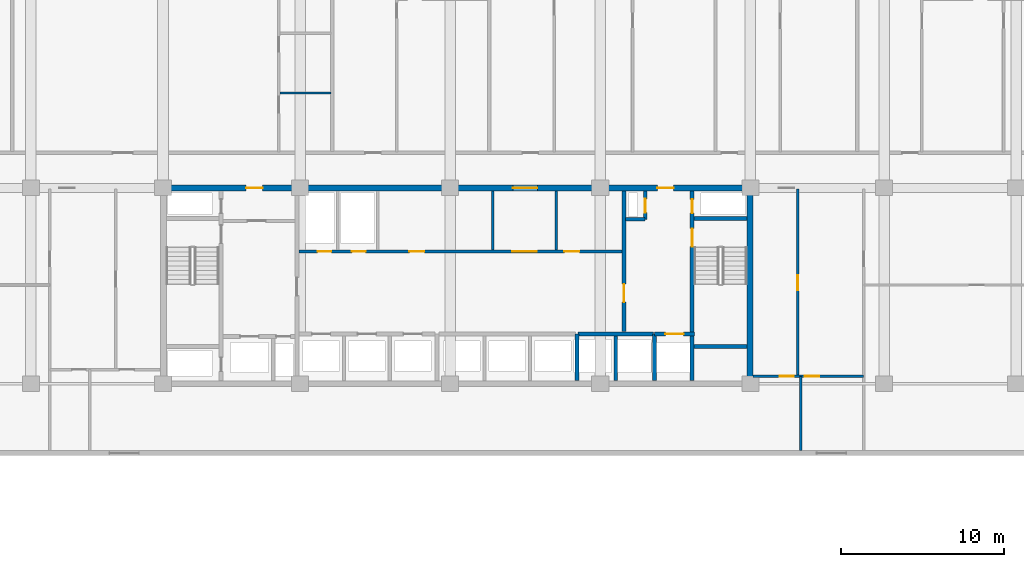
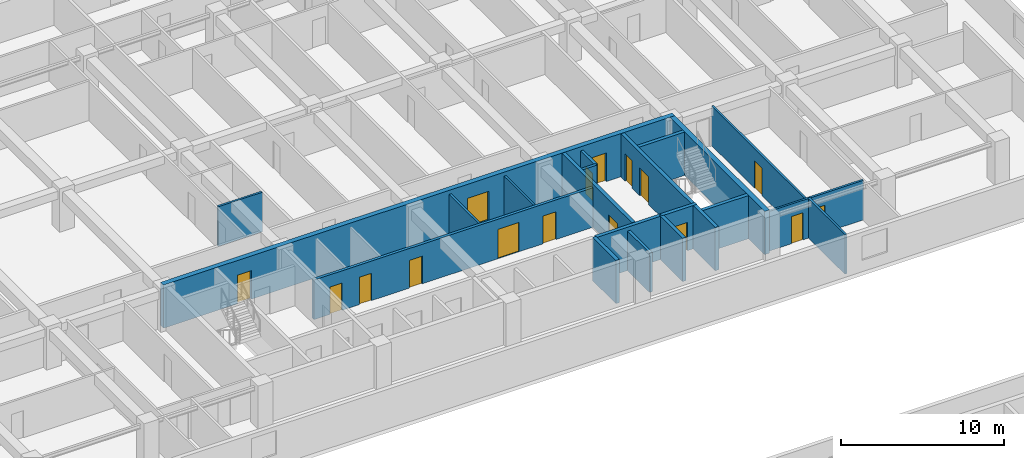
# One storey, part 13 of 24: 20 walls, 16 doors, 16 openings.
"""IFC4 building model written with IfcOpenShell, lengths in metres."""

from ifc_helpers import new_model, si_unit, direction, frame, frame_2d, origin, place, context, subcontext, project, spatial, rectangle, extrude, material, layer, layer_set, type_object, element, fill, save


model = new_model("IFC4")

# Units and contexts
model_context = context("Model", 3, precision=1e-05, world=origin(), true_north=direction((0.0, 1.0)))
body_context = subcontext(model_context, "Body", "Model", "MODEL_VIEW")
ifc_project = project(units=[si_unit("LENGTHUNIT", "METRE"), si_unit("AREAUNIT", "SQUARE_METRE"), si_unit("VOLUMEUNIT", "CUBIC_METRE"), si_unit("PLANEANGLEUNIT", "RADIAN"), si_unit("MASSUNIT", "GRAM", prefix="KILO")], contexts=[model_context])

# Site, building, storey
site_placement = place(None, origin())
site = spatial("IfcSite", under=ifc_project, at=site_placement, CompositionType="ELEMENT")
building_placement = place(site_placement, origin())
building = spatial("IfcBuilding", under=site, at=building_placement, Name="Korimba Cascade Residences", CompositionType="ELEMENT")
storey_placement = place(building_placement, frame((0.0, 0.0, 66.25)))
storey = spatial("IfcBuildingStorey", under=building, at=storey_placement, Name="L18", CompositionType="ELEMENT", Elevation=66.25)

# Wall
ifc_material_1 = material(Name="Concrete C65/80", Category="concrete")
ifc_layer_1 = layer(ifc_material_1, 0.35009765625)
ifc_layer_set_1 = layer_set([ifc_layer_1], Name="Concrete C65/80")
wall_type_1 = type_object("IfcWallType", Name="WAL-CORE-350", PredefinedType="SHEAR", material=ifc_layer_set_1)
wall_1_placement = place(storey_placement, frame((112.074951171875, 55.375, 0.0), z_axis=(0.0, 0.0, 1.0), x_axis=(0.0, 1.0, 0.0)))
element("IfcWall", 1, at=wall_1_placement, inside=storey, type_object=wall_type_1, Name="L18 Core Shear Wall CW-L18-T1-E", PredefinedType="SHEAR", context=body_context, shape_type="SweptSolid", body=[
    extrude(rectangle(XDim=11.64990234375, YDim=0.35009765625, at=frame_2d((5.824951171875, 0.0))), origin(), (0.0, 0.0, 1.0), 3.25),
])

# Wall, openings, doors
wall_2_placement = place(storey_placement, frame((75.949951171875, 67.199951171875, 0.0), z_axis=(0.0, 0.0, 1.0), x_axis=(1.0, 0.0, 0.0)))
wall_2 = element("IfcWall", 2, at=wall_2_placement, inside=storey, type_object=wall_type_1, Name="L18 Core Shear Wall CW-L18-T1-N", PredefinedType="SHEAR", context=body_context, shape_type="SweptSolid", body=[
    extrude(rectangle(XDim=36.300048828125, YDim=0.35009765625, at=frame_2d((18.14990234375, 0.0))), origin(), (0.0, 0.0, 1.0), 3.25),
])
opening_1_placement = place(wall_2_placement, frame((5.25, 0.0, 0.0)))
opening_1 = element("IfcOpeningElement", 3, at=opening_1_placement, cuts=wall_2, Name="Opening D-FD5", PredefinedType="OPENING", context=body_context, shape_type="SweptSolid", body=[
    extrude(rectangle(XDim=1.0, YDim=2.14990234375, at=frame_2d((0.5, 1.074951171875))), frame((0.0, 0.18505859375, 0.0), z_axis=(0.0, -1.0, 0.0), x_axis=(1.0, 0.0, 0.0)), (0.0, 0.0, 1.0), 0.3701171875),
])
opening_2_placement = place(wall_2_placement, frame((21.60009765625, 0.0, 0.0)))
opening_2 = element("IfcOpeningElement", 4, at=opening_2_placement, cuts=wall_2, Name="Opening D-FD8", PredefinedType="OPENING", context=body_context, shape_type="SweptSolid", body=[
    extrude(rectangle(XDim=1.5, YDim=2.199951171875, at=frame_2d((0.75, 1.10009765625))), frame((0.0, 0.18505859375, 0.0), z_axis=(0.0, -1.0, 0.0), x_axis=(1.0, 0.0, 0.0)), (0.0, 0.0, 1.0), 0.3701171875),
])
opening_3_placement = place(wall_2_placement, frame((30.449951171875, 0.0, 0.0)))
opening_3 = element("IfcOpeningElement", 5, at=opening_3_placement, cuts=wall_2, Name="Opening D-FD5", PredefinedType="OPENING", context=body_context, shape_type="SweptSolid", body=[
    extrude(rectangle(XDim=1.0, YDim=2.14990234375, at=frame_2d((0.5, 1.074951171875))), frame((0.0, 0.18505859375, 0.0), z_axis=(0.0, -1.0, 0.0), x_axis=(1.0, 0.0, 0.0)), (0.0, 0.0, 1.0), 0.3701171875),
])
ifc_material_2 = material(Name="Fire-Rated Acoustic Timber Vestibule Door", Category="wood")
door_type_1 = type_object("IfcDoorType", Name="DR-FD90-1000", OperationType="NOTDEFINED", PredefinedType="DOOR", material=ifc_material_2)
door_1_placement = place(opening_1_placement, origin())
door_1 = element("IfcDoor", 6, at=door_1_placement, inside=storey, type_object=door_type_1, Name="L18 T1 West Core Vestibule Fire Door", OperationType="SINGLE_SWING_RIGHT", OverallHeight=2.14990234375, OverallWidth=1.0, PredefinedType="DOOR", context=body_context, shape_type="SweptSolid", body=[
    extrude(rectangle(XDim=1.0, YDim=2.14990234375, at=frame_2d((0.5, 1.074951171875))), frame((0.0, 0.02490234375, 0.0), z_axis=(0.0, -1.0, 0.0), x_axis=(1.0, 0.0, 0.0)), (0.0, 0.0, 1.0), 0.050048828125),
])
fill(opening_1, door_1)
door_2_placement = place(opening_3_placement, origin())
door_2 = element("IfcDoor", 7, at=door_2_placement, inside=storey, type_object=door_type_1, Name="L18 T1 East Firefighting Vestibule Fire Door", OperationType="SINGLE_SWING_LEFT", OverallHeight=2.14990234375, OverallWidth=1.0, PredefinedType="DOOR", context=body_context, shape_type="SweptSolid", body=[
    extrude(rectangle(XDim=1.0, YDim=2.14990234375, at=frame_2d((0.5, 1.074951171875))), frame((0.0, 0.02490234375, 0.0), z_axis=(0.0, -1.0, 0.0), x_axis=(1.0, 0.0, 0.0)), (0.0, 0.0, 1.0), 0.050048828125),
])
fill(opening_3, door_2)
ifc_material_3 = material(Name="Fire-Rated Glazed Lift Lobby Double Door", Category="glass")
door_type_2 = type_object("IfcDoorType", Name="DR-FD90-1500", OperationType="NOTDEFINED", PredefinedType="DOOR", material=ifc_material_3)
door_3_placement = place(opening_2_placement, origin())
door_3 = element("IfcDoor", 8, at=door_3_placement, inside=storey, type_object=door_type_2, Name="L18 T1 Lift Lobby Fire Door", OperationType="DOUBLE_DOOR_SINGLE_SWING", OverallHeight=2.199951171875, OverallWidth=1.5, PredefinedType="DOOR", context=body_context, shape_type="SweptSolid", body=[
    extrude(rectangle(XDim=1.5, YDim=2.199951171875, at=frame_2d((0.75, 1.10009765625))), frame((0.0, 0.02490234375, 0.0), z_axis=(0.0, -1.0, 0.0), x_axis=(1.0, 0.0, 0.0)), (0.0, 0.0, 1.0), 0.050048828125),
])
fill(opening_2, door_3)

# Walls
ifc_material_4 = material(Name="Insulated Acoustic Stud Partition", Category="gypsum")
ifc_layer_2 = layer(ifc_material_4, 0.14990234375)
ifc_layer_set_2 = layer_set([ifc_layer_2], Name="Insulated Acoustic Stud Partition")
wall_type_2 = type_object("IfcWallType", Name="WAL-PART-150", PredefinedType="PARTITIONING", material=ifc_layer_set_2)
for number, where, z_axis, x_axis, name in (
    (9, (96.300048828125, 63.39990234375, 0.0), (0.0, 0.0, 1.0), (0.0, 1.0, 0.0), "L18 Partition Wall CW-L18-T1-THW"),
    (10, (100.199951171875, 63.39990234375, 0.0), (0.0, 0.0, 1.0), (0.0, 1.0, 0.0), "L18 Partition Wall CW-L18-T1-THE"),
):
    element("IfcWall", number, at=place(storey_placement, frame(where, z_axis=z_axis, x_axis=x_axis)), inside=storey, type_object=wall_type_2, Name=name, PredefinedType="PARTITIONING", context=body_context, shape_type="SweptSolid", body=[
        extrude(rectangle(XDim=3.60009765625, YDim=0.14990234375, at=frame_2d((1.800048828125, 0.0))), origin(), (0.0, 0.0, 1.0), 2.969970703125),
    ])

# Wall, opening, door
wall_3_placement = place(storey_placement, frame((115.0, 55.64990234375, 0.0), z_axis=(0.0, 0.0, 1.0), x_axis=(0.0, 1.0, 0.0)))
wall_3 = element("IfcWall", 11, at=wall_3_placement, inside=storey, type_object=wall_type_2, Name="L18 Partition Wall WAL-L18-T1-FE-VN", PredefinedType="PARTITIONING", context=body_context, shape_type="SweptSolid", body=[
    extrude(rectangle(XDim=11.5, YDim=0.14990234375, at=frame_2d((5.75, 0.0))), origin(), (0.0, 0.0, 1.0), 2.969970703125),
])
opening_4_placement = place(wall_3_placement, frame((5.2900390625, 0.0, 0.0)))
opening_4 = element("IfcOpeningElement", 12, at=opening_4_placement, cuts=wall_3, Name="Opening D-IN1", PredefinedType="OPENING", context=body_context, shape_type="SweptSolid", body=[
    extrude(rectangle(XDim=0.919921875, YDim=2.080078125, at=frame_2d((0.4599609375, 1.0400390625))), frame((0.0, 0.0849609375, 0.0), z_axis=(0.0, -1.0, 0.0), x_axis=(1.0, 0.0, 0.0)), (0.0, 0.0, 1.0), 0.169921875),
])
ifc_material_5 = material(Name="Acoustic Timber Living Door", Category="wood")
door_type_3 = type_object("IfcDoorType", Name="DR-INT-920", OperationType="NOTDEFINED", PredefinedType="DOOR", material=ifc_material_5)
door_4_placement = place(opening_4_placement, origin())
door_4 = element("IfcDoor", 13, at=door_4_placement, inside=storey, type_object=door_type_3, Name="L18-T1-FE Living Door", OperationType="SINGLE_SWING_RIGHT", OverallHeight=2.080078125, OverallWidth=0.919921875, PredefinedType="DOOR", context=body_context, shape_type="SweptSolid", body=[
    extrude(rectangle(XDim=0.919921875, YDim=2.080078125, at=frame_2d((0.4599609375, 1.0400390625))), frame((0.0, 0.02490234375, 0.0), z_axis=(0.0, -1.0, 0.0), x_axis=(1.0, 0.0, 0.0)), (0.0, 0.0, 1.0), 0.050048828125),
])
fill(opening_4, door_4)

# Wall
wall_4_placement = place(storey_placement, frame((115.199951171875, 51.10009765625, 0.0), z_axis=(0.0, 0.0, 1.0), x_axis=(0.0, 1.0, 0.0)))
element("IfcWall", 14, at=wall_4_placement, inside=storey, type_object=wall_type_2, Name="L18 Partition Wall WAL-L18-T1-FE-VS", PredefinedType="PARTITIONING", context=body_context, shape_type="SweptSolid", body=[
    extrude(rectangle(XDim=4.5498046875, YDim=0.14990234375, at=frame_2d((2.27490234375, 0.0))), origin(), (0.0, 0.0, 1.0), 2.969970703125),
])

# Wall, openings, doors
wall_5_placement = place(storey_placement, frame((112.27001953125, 55.64990234375, 0.0), z_axis=(0.0, 0.0, 1.0), x_axis=(1.0, 0.0, 0.0)))
wall_5 = element("IfcWall", 15, at=wall_5_placement, inside=storey, type_object=wall_type_2, Name="L18 Partition Wall WAL-L18-T1-FE-H", PredefinedType="PARTITIONING", context=body_context, shape_type="SweptSolid", body=[
    extrude(rectangle(XDim=6.760009765625, YDim=0.14990234375, at=frame_2d((3.3798828125, 0.0))), origin(), (0.0, 0.0, 1.0), 2.969970703125),
])
opening_5_placement = place(wall_5_placement, frame((1.6396484375, 0.0, 0.0)))
opening_5 = element("IfcOpeningElement", 16, at=opening_5_placement, cuts=wall_5, Name="Opening D-BT1", PredefinedType="OPENING", context=body_context, shape_type="SweptSolid", body=[
    extrude(rectangle(XDim=0.840087890625, YDim=2.0400390625, at=frame_2d((0.419921875, 1.02001953125))), frame((0.0, 0.0849609375, 0.0), z_axis=(0.0, -1.0, 0.0), x_axis=(1.0, 0.0, 0.0)), (0.0, 0.0, 1.0), 0.169921875),
])
opening_6_placement = place(wall_5_placement, frame((3.160400390625, 0.0, 0.0)))
opening_6 = element("IfcOpeningElement", 17, at=opening_6_placement, cuts=wall_5, Name="Opening D-IN2", PredefinedType="OPENING", context=body_context, shape_type="SweptSolid", body=[
    extrude(rectangle(XDim=0.8798828125, YDim=2.06005859375, at=frame_2d((0.43994140625, 1.030029296875))), frame((0.0, 0.0849609375, 0.0), z_axis=(0.0, -1.0, 0.0), x_axis=(1.0, 0.0, 0.0)), (0.0, 0.0, 1.0), 0.169921875),
])
ifc_material_6 = material(Name="Moisture-Resistant Bathroom Timber Door", Category="wood")
door_type_4 = type_object("IfcDoorType", Name="DR-INT-850", OperationType="NOTDEFINED", PredefinedType="DOOR", material=ifc_material_6)
door_5_placement = place(opening_5_placement, origin())
door_5 = element("IfcDoor", 18, at=door_5_placement, inside=storey, type_object=door_type_4, Name="L18-T1-FE Bathroom Door", OperationType="SINGLE_SWING_LEFT", OverallHeight=2.0400390625, OverallWidth=0.840087890625, PredefinedType="DOOR", context=body_context, shape_type="SweptSolid", body=[
    extrude(rectangle(XDim=0.840087890625, YDim=2.0400390625, at=frame_2d((0.419921875, 1.02001953125))), frame((0.0, 0.02490234375, 0.0), z_axis=(0.0, -1.0, 0.0), x_axis=(1.0, 0.0, 0.0)), (0.0, 0.0, 1.0), 0.050048828125),
])
fill(opening_5, door_5)
ifc_material_7 = material(Name="Acoustic Timber Bedroom Door", Category="wood")
door_type_5 = type_object("IfcDoorType", Name="DR-INT-880", OperationType="NOTDEFINED", PredefinedType="DOOR", material=ifc_material_7)
door_6_placement = place(opening_6_placement, origin())
door_6 = element("IfcDoor", 19, at=door_6_placement, inside=storey, type_object=door_type_5, Name="L18-T1-FE Bedroom Door", OperationType="SINGLE_SWING_RIGHT", OverallHeight=2.06005859375, OverallWidth=0.8798828125, PredefinedType="DOOR", context=body_context, shape_type="SweptSolid", body=[
    extrude(rectangle(XDim=0.8798828125, YDim=2.06005859375, at=frame_2d((0.43994140625, 1.030029296875))), frame((0.0, 0.02490234375, 0.0), z_axis=(0.0, -1.0, 0.0), x_axis=(1.0, 0.0, 0.0)), (0.0, 0.0, 1.0), 0.050048828125),
])
fill(opening_6, door_6)

# Walls
wall_6_placement = place(storey_placement, frame((83.2548828125, 73.02001953125, 0.0), z_axis=(0.0, 0.0, 1.0), x_axis=(1.0, 0.0, 0.0)))
element("IfcWall", 20, at=wall_6_placement, inside=storey, type_object=wall_type_2, Name="L18 Partition Wall WAL-L18-T1-U02-WCH", PredefinedType="PARTITIONING", context=body_context, shape_type="SweptSolid", body=[
    extrude(rectangle(XDim=3.1298828125, YDim=0.14990234375, at=frame_2d((1.56494140625, 0.0))), origin(), (0.0, 0.0, 1.0), 2.969970703125),
])
ifc_material_8 = material(Name="Concrete C40/50", Category="concrete")
ifc_layer_3 = layer(ifc_material_8, 0.199951171875)
ifc_layer_set_3 = layer_set([ifc_layer_3], Name="Concrete C40/50")
wall_type_3 = type_object("IfcWallType", Name="WAL-PART-200", PredefinedType="PARTITIONING", material=ifc_layer_set_3)
wall_7_placement = place(storey_placement, frame((103.85009765625, 55.39990234375, 0.0), z_axis=(0.0, 0.0, 1.0), x_axis=(0.0, 1.0, 0.0)))
element("IfcWall", 21, at=wall_7_placement, inside=storey, type_object=wall_type_3, Name="L18 Partition Wall CW-L18-T1-B3D1", PredefinedType="PARTITIONING", context=body_context, shape_type="SweptSolid", body=[
    extrude(rectangle(XDim=2.72021484375, YDim=0.199951171875, at=frame_2d((1.360107421875, 0.0))), origin(), (0.0, 0.0, 1.0), 2.969970703125),
])

# Wall, openings, doors
wall_8_placement = place(storey_placement, frame((84.419921875, 63.300048828125, 0.0), z_axis=(0.0, 0.0, 1.0), x_axis=(1.0, 0.0, 0.0)))
wall_8 = element("IfcWall", 22, at=wall_8_placement, inside=storey, type_object=wall_type_3, Name="L18 Partition Wall CW-L18-T1-SRVROW", PredefinedType="PARTITIONING", context=body_context, shape_type="SweptSolid", body=[
    extrude(rectangle(XDim=19.830078125, YDim=0.199951171875, at=frame_2d((9.9150390625, 0.0))), origin(), (0.0, 0.0, 1.0), 2.969970703125),
])
opening_7_placement = place(wall_8_placement, frame((1.14990234375, 0.0, 0.0)))
opening_7 = element("IfcOpeningElement", 23, at=opening_7_placement, cuts=wall_8, Name="Opening D-RS1", PredefinedType="OPENING", context=body_context, shape_type="SweptSolid", body=[
    extrude(rectangle(XDim=0.85009765625, YDim=2.050048828125, at=frame_2d((0.425048828125, 1.02490234375))), frame((0.0, 0.10986328125, 0.0), z_axis=(0.0, -1.0, 0.0), x_axis=(1.0, 0.0, 0.0)), (0.0, 0.0, 1.0), 0.219970703125),
])
opening_8_placement = place(wall_8_placement, frame((3.25, 0.0, 0.0)))
opening_8 = element("IfcOpeningElement", 24, at=opening_8_placement, cuts=wall_8, Name="Opening D-RS1", PredefinedType="OPENING", context=body_context, shape_type="SweptSolid", body=[
    extrude(rectangle(XDim=0.85009765625, YDim=2.050048828125, at=frame_2d((0.425048828125, 1.02490234375))), frame((0.0, 0.10986328125, 0.0), z_axis=(0.0, -1.0, 0.0), x_axis=(1.0, 0.0, 0.0)), (0.0, 0.0, 1.0), 0.219970703125),
])
opening_9_placement = place(wall_8_placement, frame((13.080078125, 0.0, 0.0)))
opening_9 = element("IfcOpeningElement", 25, at=opening_9_placement, cuts=wall_8, Name="Opening D-FD8", PredefinedType="OPENING", context=body_context, shape_type="SweptSolid", body=[
    extrude(rectangle(XDim=1.5, YDim=2.199951171875, at=frame_2d((0.75, 1.10009765625))), frame((0.0, 0.10986328125, 0.0), z_axis=(0.0, -1.0, 0.0), x_axis=(1.0, 0.0, 0.0)), (0.0, 0.0, 1.0), 0.219970703125),
])
opening_10_placement = place(wall_8_placement, frame((6.780029296875, 0.0, 0.0)))
opening_10 = element("IfcOpeningElement", 26, at=opening_10_placement, cuts=wall_8, Name="Opening D-IN1", PredefinedType="OPENING", context=body_context, shape_type="SweptSolid", body=[
    extrude(rectangle(XDim=0.919921875, YDim=2.080078125, at=frame_2d((0.4599609375, 1.0400390625))), frame((0.0, 0.10986328125, 0.0), z_axis=(0.0, -1.0, 0.0), x_axis=(1.0, 0.0, 0.0)), (0.0, 0.0, 1.0), 0.219970703125),
])
opening_11_placement = place(wall_8_placement, frame((16.280029296875, 0.0, 0.0)))
opening_11 = element("IfcOpeningElement", 27, at=opening_11_placement, cuts=wall_8, Name="Opening D-IN1", PredefinedType="OPENING", context=body_context, shape_type="SweptSolid", body=[
    extrude(rectangle(XDim=0.919921875, YDim=2.080078125, at=frame_2d((0.4599609375, 1.0400390625))), frame((0.0, 0.10986328125, 0.0), z_axis=(0.0, -1.0, 0.0), x_axis=(1.0, 0.0, 0.0)), (0.0, 0.0, 1.0), 0.219970703125),
])
ifc_material_9 = material(Name="Fire-Rated Steel Riser Access Door", Category="steel")
door_type_6 = type_object("IfcDoorType", Name="DR-FD60-850", OperationType="NOTDEFINED", PredefinedType="DOOR", material=ifc_material_9)
door_7_placement = place(opening_7_placement, origin())
door_7 = element("IfcDoor", 28, at=door_7_placement, inside=storey, type_object=door_type_6, Name="L18 Electrical Riser Door", OperationType="SINGLE_SWING_RIGHT", OverallHeight=2.050048828125, OverallWidth=0.85009765625, PredefinedType="DOOR", context=body_context, shape_type="SweptSolid", body=[
    extrude(rectangle(XDim=0.85009765625, YDim=2.050048828125, at=frame_2d((0.425048828125, 1.02490234375))), frame((0.0, 0.02490234375, 0.0), z_axis=(0.0, -1.0, 0.0), x_axis=(1.0, 0.0, 0.0)), (0.0, 0.0, 1.0), 0.050048828125),
])
fill(opening_7, door_7)
door_8_placement = place(opening_8_placement, origin())
door_8 = element("IfcDoor", 29, at=door_8_placement, inside=storey, type_object=door_type_6, Name="L18 Plumbing Riser Door", OperationType="SINGLE_SWING_LEFT", OverallHeight=2.050048828125, OverallWidth=0.85009765625, PredefinedType="DOOR", context=body_context, shape_type="SweptSolid", body=[
    extrude(rectangle(XDim=0.85009765625, YDim=2.050048828125, at=frame_2d((0.425048828125, 1.02490234375))), frame((0.0, 0.02490234375, 0.0), z_axis=(0.0, -1.0, 0.0), x_axis=(1.0, 0.0, 0.0)), (0.0, 0.0, 1.0), 0.050048828125),
])
fill(opening_8, door_8)
door_9_placement = place(opening_9_placement, origin())
door_9 = element("IfcDoor", 30, at=door_9_placement, inside=storey, type_object=door_type_2, Name="L18 Lift Lobby Foyer Archway Door", OperationType="DOUBLE_DOOR_SINGLE_SWING", OverallHeight=2.199951171875, OverallWidth=1.5, PredefinedType="DOOR", context=body_context, shape_type="SweptSolid", body=[
    extrude(rectangle(XDim=1.5, YDim=2.199951171875, at=frame_2d((0.75, 1.10009765625))), frame((0.0, 0.02490234375, 0.0), z_axis=(0.0, -1.0, 0.0), x_axis=(1.0, 0.0, 0.0)), (0.0, 0.0, 1.0), 0.050048828125),
])
fill(opening_9, door_9)
door_10_placement = place(opening_10_placement, origin())
door_10 = element("IfcDoor", 31, at=door_10_placement, inside=storey, type_object=door_type_3, Name="L18 Housekeeping Door", OperationType="SINGLE_SWING_RIGHT", OverallHeight=2.080078125, OverallWidth=0.919921875, PredefinedType="DOOR", context=body_context, shape_type="SweptSolid", body=[
    extrude(rectangle(XDim=0.919921875, YDim=2.080078125, at=frame_2d((0.4599609375, 1.0400390625))), frame((0.0, 0.02490234375, 0.0), z_axis=(0.0, -1.0, 0.0), x_axis=(1.0, 0.0, 0.0)), (0.0, 0.0, 1.0), 0.050048828125),
])
fill(opening_10, door_10)
door_11_placement = place(opening_11_placement, origin())
door_11 = element("IfcDoor", 32, at=door_11_placement, inside=storey, type_object=door_type_3, Name="L18 Store Door", OperationType="SINGLE_SWING_LEFT", OverallHeight=2.080078125, OverallWidth=0.919921875, PredefinedType="DOOR", context=body_context, shape_type="SweptSolid", body=[
    extrude(rectangle(XDim=0.919921875, YDim=2.080078125, at=frame_2d((0.4599609375, 1.0400390625))), frame((0.0, 0.02490234375, 0.0), z_axis=(0.0, -1.0, 0.0), x_axis=(1.0, 0.0, 0.0)), (0.0, 0.0, 1.0), 0.050048828125),
])
fill(opening_11, door_11)

# Wall
wall_9_placement = place(storey_placement, frame((104.449951171875, 65.280029296875, 0.0), z_axis=(0.0, 0.0, 1.0), x_axis=(1.0, 0.0, 0.0)))
element("IfcWall", 33, at=wall_9_placement, inside=storey, type_object=wall_type_3, Name="L18 Partition Wall CW-L18-T1-HYDW2S", PredefinedType="PARTITIONING", context=body_context, shape_type="SweptSolid", body=[
    extrude(rectangle(XDim=1.199951171875, YDim=0.199951171875, at=frame_2d((0.60009765625, 0.0))), origin(), (0.0, 0.0, 1.0), 2.969970703125),
])

# Wall, opening, door
wall_10_placement = place(storey_placement, frame((105.64990234375, 65.280029296875, 0.0), z_axis=(0.0, 0.0, 1.0), x_axis=(0.0, 1.0, 0.0)))
wall_10 = element("IfcWall", 34, at=wall_10_placement, inside=storey, type_object=wall_type_3, Name="L18 Partition Wall CW-L18-T1-HYDW2E", PredefinedType="PARTITIONING", context=body_context, shape_type="SweptSolid", body=[
    extrude(rectangle(XDim=1.719970703125, YDim=0.199951171875, at=frame_2d((0.85986328125, 0.0))), origin(), (0.0, 0.0, 1.0), 2.969970703125),
])
opening_12_placement = place(wall_10_placement, frame((0.39990234375, 0.0, 0.0)))
opening_12 = element("IfcOpeningElement", 35, at=opening_12_placement, cuts=wall_10, Name="Opening D-RS1", PredefinedType="OPENING", context=body_context, shape_type="SweptSolid", body=[
    extrude(rectangle(XDim=0.85009765625, YDim=2.050048828125, at=frame_2d((0.425048828125, 1.02490234375))), frame((0.0, 0.10986328125, 0.0), z_axis=(0.0, -1.0, 0.0), x_axis=(1.0, 0.0, 0.0)), (0.0, 0.0, 1.0), 0.219970703125),
])
door_12_placement = place(opening_12_placement, origin())
door_12 = element("IfcDoor", 36, at=door_12_placement, inside=storey, type_object=door_type_6, Name="L18 East Hydrant Door", OperationType="SINGLE_SWING_RIGHT", OverallHeight=2.050048828125, OverallWidth=0.85009765625, PredefinedType="DOOR", context=body_context, shape_type="SweptSolid", body=[
    extrude(rectangle(XDim=0.85009765625, YDim=2.050048828125, at=frame_2d((0.425048828125, 1.02490234375))), frame((0.0, 0.02490234375, 0.0), z_axis=(0.0, -1.0, 0.0), x_axis=(1.0, 0.0, 0.0)), (0.0, 0.0, 1.0), 0.050048828125),
])
fill(opening_12, door_12)

# Walls
ifc_material_10 = material(Name="Concrete C50/60", Category="concrete")
ifc_layer_4 = layer(ifc_material_10, 0.25)
ifc_layer_set_4 = layer_set([ifc_layer_4], Name="Concrete C50/60")
wall_type_4 = type_object("IfcWallType", Name="WAL-SHAFT-250", PredefinedType="SHEAR", material=ifc_layer_set_4)
wall_11_placement = place(storey_placement, frame((101.47998046875, 55.39990234375, 0.0), z_axis=(0.0, 0.0, 1.0), x_axis=(0.0, 1.0, 0.0)))
element("IfcWall", 37, at=wall_11_placement, inside=storey, type_object=wall_type_4, Name="L18 Core Shear Wall CW-L18-T1-B23DIV", PredefinedType="SHEAR", context=body_context, shape_type="SweptSolid", body=[
    extrude(rectangle(XDim=2.85009765625, YDim=0.25, at=frame_2d((1.425048828125, 0.0))), origin(), (0.0, 0.0, 1.0), 3.25),
])
wall_12_placement = place(storey_placement, frame((101.550048828125, 58.25, 0.0), z_axis=(0.0, 0.0, 1.0), x_axis=(1.0, 0.0, 0.0)))
element("IfcWall", 38, at=wall_12_placement, inside=storey, type_object=wall_type_4, Name="L18 Core Shear Wall CW-L18-T1-B3N", PredefinedType="SHEAR", context=body_context, shape_type="SweptSolid", body=[
    extrude(rectangle(XDim=4.599853515625, YDim=0.25, at=frame_2d((2.2998046875, 0.0))), origin(), (0.0, 0.0, 1.0), 3.25),
])
wall_13_placement = place(storey_placement, frame((106.219970703125, 55.39990234375, 0.0), z_axis=(0.0, 0.0, 1.0), x_axis=(0.0, 1.0, 0.0)))
element("IfcWall", 39, at=wall_13_placement, inside=storey, type_object=wall_type_4, Name="L18 Core Shear Wall CW-L18-T1-FF2W", PredefinedType="SHEAR", context=body_context, shape_type="SweptSolid", body=[
    extrude(rectangle(XDim=2.85009765625, YDim=0.25, at=frame_2d((1.425048828125, 0.0))), origin(), (0.0, 0.0, 1.0), 3.25),
])

# Wall, opening, door
wall_14_placement = place(storey_placement, frame((106.219970703125, 58.25, 0.0), z_axis=(0.0, 0.0, 1.0), x_axis=(1.0, 0.0, 0.0)))
wall_14 = element("IfcWall", 40, at=wall_14_placement, inside=storey, type_object=wall_type_4, Name="L18 Core Shear Wall CW-L18-T1-FF2N", PredefinedType="SHEAR", context=body_context, shape_type="SweptSolid", body=[
    extrude(rectangle(XDim=2.4599609375, YDim=0.25, at=frame_2d((1.22998046875, 0.0))), origin(), (0.0, 0.0, 1.0), 3.25),
])
opening_13_placement = place(wall_14_placement, frame((0.669921875, 0.0, 0.0)))
opening_13 = element("IfcOpeningElement", 41, at=opening_13_placement, cuts=wall_14, Name="Opening LD-01", PredefinedType="OPENING", context=body_context, shape_type="SweptSolid", body=[
    extrude(rectangle(XDim=1.1201171875, YDim=2.1201171875, at=frame_2d((0.56005859375, 1.06005859375))), frame((0.0, 0.135009765625, 0.0), z_axis=(0.0, -1.0, 0.0), x_axis=(1.0, 0.0, 0.0)), (0.0, 0.0, 1.0), 0.27001953125),
])
ifc_material_11 = material(Name="Stainless Steel Lift Landing Sliding Door", Category="steel")
door_type_7 = type_object("IfcDoorType", Name="DR-LIFT-1100", OperationType="NOTDEFINED", PredefinedType="DOOR", material=ifc_material_11)
door_13_placement = place(opening_13_placement, origin())
door_13 = element("IfcDoor", 42, at=door_13_placement, inside=storey, type_object=door_type_7, Name="L18 Firefighting Lift Landing Door FFL-W2", OperationType="SLIDING_TO_RIGHT", OverallHeight=2.1201171875, OverallWidth=1.1201171875, PredefinedType="DOOR", context=body_context, shape_type="SweptSolid", body=[
    extrude(rectangle(XDim=1.1201171875, YDim=2.1201171875, at=frame_2d((0.56005859375, 1.06005859375))), frame((0.0, 0.02490234375, 0.0), z_axis=(0.0, -1.0, 0.0), x_axis=(1.0, 0.0, 0.0)), (0.0, 0.0, 1.0), 0.050048828125),
])
fill(opening_13, door_13)

wall_15_placement = place(storey_placement, frame((104.35009765625, 58.39990234375, 0.0), z_axis=(0.0, 0.0, 1.0), x_axis=(0.0, 1.0, 0.0)))
wall_15 = element("IfcWall", 43, at=wall_15_placement, inside=storey, type_object=wall_type_4, Name="L18 Core Shear Wall CW-L18-T1-LLEV", PredefinedType="SHEAR", context=body_context, shape_type="SweptSolid", body=[
    extrude(rectangle(XDim=8.60009765625, YDim=0.25, at=frame_2d((4.300048828125, 0.0))), origin(), (0.0, 0.0, 1.0), 3.25),
])
opening_14_placement = place(wall_15_placement, frame((1.800048828125, 0.0, 0.0)))
opening_14 = element("IfcOpeningElement", 44, at=opening_14_placement, cuts=wall_15, Name="Opening D-FD1", PredefinedType="OPENING", context=body_context, shape_type="SweptSolid", body=[
    extrude(rectangle(XDim=1.10009765625, YDim=2.10009765625, at=frame_2d((0.550048828125, 1.050048828125))), frame((0.0, 0.135009765625, 0.0), z_axis=(0.0, -1.0, 0.0), x_axis=(1.0, 0.0, 0.0)), (0.0, 0.0, 1.0), 0.27001953125),
])
ifc_material_12 = material(Name="Fire-Rated Steel Core Door", Category="steel")
door_type_8 = type_object("IfcDoorType", Name="DR-FD120-1100", OperationType="NOTDEFINED", PredefinedType="DOOR", material=ifc_material_12)
door_14_placement = place(opening_14_placement, origin())
door_14 = element("IfcDoor", 45, at=door_14_placement, inside=storey, type_object=door_type_8, Name="L18 Lift Lobby to East Firefighting Lobby Door", OperationType="SINGLE_SWING_LEFT", OverallHeight=2.10009765625, OverallWidth=1.10009765625, PredefinedType="DOOR", context=body_context, shape_type="SweptSolid", body=[
    extrude(rectangle(XDim=1.10009765625, YDim=2.10009765625, at=frame_2d((0.550048828125, 1.050048828125))), frame((0.0, 0.02490234375, 0.0), z_axis=(0.0, -1.0, 0.0), x_axis=(1.0, 0.0, 0.0)), (0.0, 0.0, 1.0), 0.050048828125),
])
fill(opening_14, door_14)

# Wall, openings, doors
wall_16_placement = place(storey_placement, frame((108.534912109375, 55.39990234375, 0.0), z_axis=(0.0, 0.0, 1.0), x_axis=(0.0, 1.0, 0.0)))
wall_16 = element("IfcWall", 46, at=wall_16_placement, inside=storey, type_object=wall_type_4, Name="L18 Core Shear Wall CW-L18-T1-STW2W", PredefinedType="SHEAR", context=body_context, shape_type="SweptSolid", body=[
    extrude(rectangle(XDim=11.60009765625, YDim=0.25, at=frame_2d((5.800048828125, 0.0))), origin(), (0.0, 0.0, 1.0), 3.25),
])
opening_15_placement = place(wall_16_placement, frame((8.199951171875, 0.0, 0.0)))
opening_15 = element("IfcOpeningElement", 47, at=opening_15_placement, cuts=wall_16, Name="Opening D-FD1", PredefinedType="OPENING", context=body_context, shape_type="SweptSolid", body=[
    extrude(rectangle(XDim=1.10009765625, YDim=2.10009765625, at=frame_2d((0.550048828125, 1.050048828125))), frame((0.0, 0.135009765625, 0.0), z_axis=(0.0, -1.0, 0.0), x_axis=(1.0, 0.0, 0.0)), (0.0, 0.0, 1.0), 0.27001953125),
])
opening_16_placement = place(wall_16_placement, frame((10.25, 0.0, 0.0)))
opening_16 = element("IfcOpeningElement", 48, at=opening_16_placement, cuts=wall_16, Name="Opening D-RS1", PredefinedType="OPENING", context=body_context, shape_type="SweptSolid", body=[
    extrude(rectangle(XDim=0.85009765625, YDim=2.050048828125, at=frame_2d((0.425048828125, 1.02490234375))), frame((0.0, 0.135009765625, 0.0), z_axis=(0.0, -1.0, 0.0), x_axis=(1.0, 0.0, 0.0)), (0.0, 0.0, 1.0), 0.27001953125),
])
door_15_placement = place(opening_15_placement, origin())
door_15 = element("IfcDoor", 49, at=door_15_placement, inside=storey, type_object=door_type_8, Name="L18 Fire Stair ST-W2 Door", OperationType="SINGLE_SWING_RIGHT", OverallHeight=2.10009765625, OverallWidth=1.10009765625, PredefinedType="DOOR", context=body_context, shape_type="SweptSolid", body=[
    extrude(rectangle(XDim=1.10009765625, YDim=2.10009765625, at=frame_2d((0.550048828125, 1.050048828125))), frame((0.0, 0.02490234375, 0.0), z_axis=(0.0, -1.0, 0.0), x_axis=(1.0, 0.0, 0.0)), (0.0, 0.0, 1.0), 0.050048828125),
])
fill(opening_15, door_15)
door_16_placement = place(opening_16_placement, origin())
door_16 = element("IfcDoor", 50, at=door_16_placement, inside=storey, type_object=door_type_6, Name="L18 East Riser Door", OperationType="SINGLE_SWING_LEFT", OverallHeight=2.050048828125, OverallWidth=0.85009765625, PredefinedType="DOOR", context=body_context, shape_type="SweptSolid", body=[
    extrude(rectangle(XDim=0.85009765625, YDim=2.050048828125, at=frame_2d((0.425048828125, 1.02490234375))), frame((0.0, 0.02490234375, 0.0), z_axis=(0.0, -1.0, 0.0), x_axis=(1.0, 0.0, 0.0)), (0.0, 0.0, 1.0), 0.050048828125),
])
fill(opening_16, door_16)

# Walls
for number, where, z_axis, x_axis, name in (
    (51, (108.659912109375, 57.47509765625, 0.0), (0.0, 0.0, 1.0), (1.0, 0.0, 0.0), "L18 Core Shear Wall CW-L18-T1-STW2S"),
    (52, (108.659912109375, 65.324951171875, 0.0), (0.0, 0.0, 1.0), (1.0, 0.0, 0.0), "L18 Core Shear Wall CW-L18-T1-STW2N"),
):
    element("IfcWall", number, at=place(storey_placement, frame(where, z_axis=z_axis, x_axis=x_axis)), inside=storey, type_object=wall_type_4, Name=name, PredefinedType="SHEAR", context=body_context, shape_type="SweptSolid", body=[
        extrude(rectangle(XDim=3.239990234375, YDim=0.25, at=frame_2d((1.6201171875, 0.0))), origin(), (0.0, 0.0, 1.0), 3.25),
    ])

save(model, "model.ifc")
